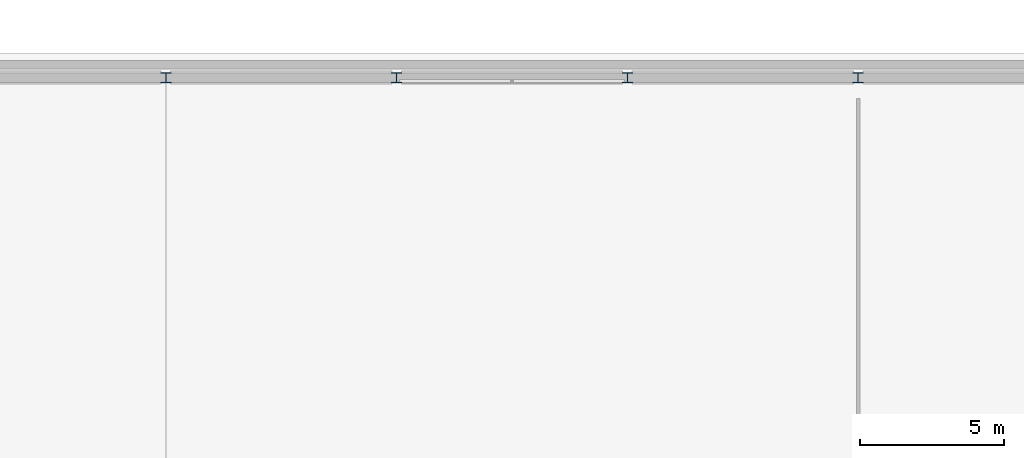
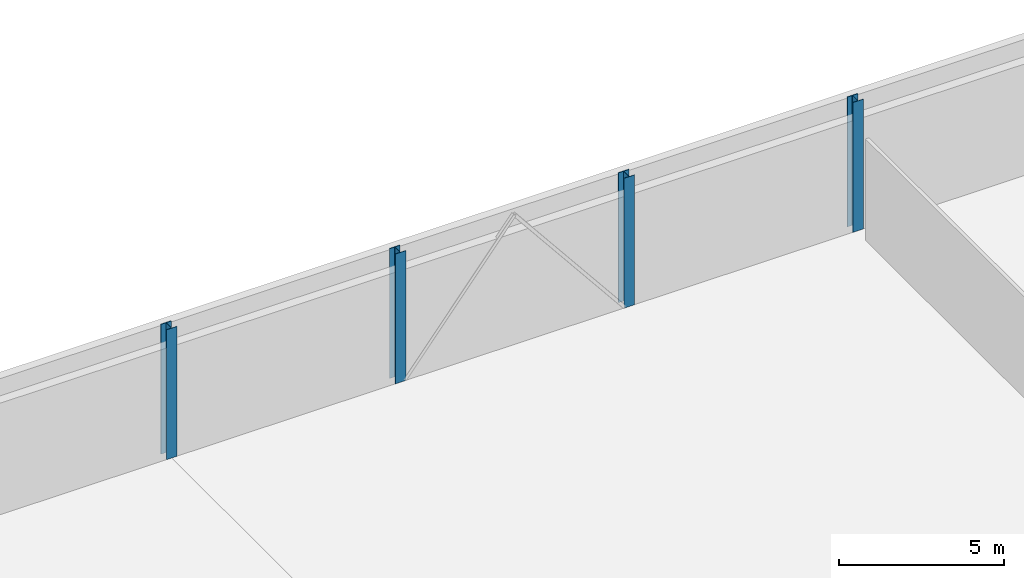
# One storey, part 19 of 117: 4 columns.
"""IFC4 building model written with IfcOpenShell, lengths in metres."""

from ifc_helpers import new_model, si_unit, direction, frame, origin, origin_2d, place, context, subcontext, project, spatial, i_section, extrude, material, material_profile, profile_set, type_object, element, save


model = new_model("IFC4")

# Units and contexts
model_context = context("Model", 3, precision=1e-05, world=origin(), true_north=direction((0.0, 1.0)))
body_context = subcontext(model_context, "Body", "Model", "MODEL_VIEW")
ifc_project = project(units=[si_unit("LENGTHUNIT", "METRE"), si_unit("AREAUNIT", "SQUARE_METRE"), si_unit("VOLUMEUNIT", "CUBIC_METRE"), si_unit("PLANEANGLEUNIT", "RADIAN"), si_unit("MASSUNIT", "GRAM", prefix="KILO")], contexts=[model_context])

# Site, building, storey
site_placement = place(None, origin())
site = spatial("IfcSite", under=ifc_project, at=site_placement, CompositionType="ELEMENT")
building_placement = place(site_placement, origin())
building = spatial("IfcBuilding", under=site, at=building_placement, Name="Jelvoka-Kovrelna Polytechnic", CompositionType="ELEMENT")
storey_placement = place(building_placement, origin())
storey = spatial("IfcBuildingStorey", under=building, at=storey_placement, Name="L01", CompositionType="ELEMENT", Elevation=0.0)

# Columns
ifc_material = material(Name="Structural steel S355JR", Category="steel")
ifc_material_profile = material_profile(ifc_material, i_section(OverallWidth=0.36865234375, OverallDepth=0.355712890625, WebThickness=0.010498046875, FlangeThickness=0.017578125, FilletRadius=0.01513671875, at=origin_2d()), Name="356x368x129 UC")
ifc_profile_set = profile_set([ifc_material_profile], Name="Structural steel S355JR")
column_type = type_object("IfcColumnType", Name="Col_Steel_UC356", PredefinedType="COLUMN", material=ifc_profile_set)
for number, where, z_axis, x_axis, name in (
    (1, (144.0, 120.0, 0.0), (0.0, 0.0, 1.0), (1.0, 0.0, 0.0), "L01 column 1642"),
    (2, (152.0, 120.0, 0.0), (0.0, 0.0, 1.0), (1.0, 0.0, 0.0), "L01 column 1645"),
    (3, (160.0, 120.0, 0.0), (0.0, 0.0, 1.0), (1.0, 0.0, 0.0), "L01 column 1648"),
    (4, (168.0, 120.0, 0.0), (0.0, 0.0, 1.0), (1.0, 0.0, 0.0), "L01 column 1651"),
):
    element("IfcColumn", number, at=place(storey_placement, frame(where, z_axis=z_axis, x_axis=x_axis)), inside=storey, type_object=column_type, Name=name, PredefinedType="COLUMN", context=body_context, shape_type="SweptSolid", body=[
        extrude(i_section(OverallWidth=0.36865234375, OverallDepth=0.355712890625, WebThickness=0.010498046875, FlangeThickness=0.017578125, FilletRadius=0.01513671875, at=origin_2d()), origin(), (0.0, 0.0, 1.0), 4.800048828125),
    ])

save(model, "model.ifc")
